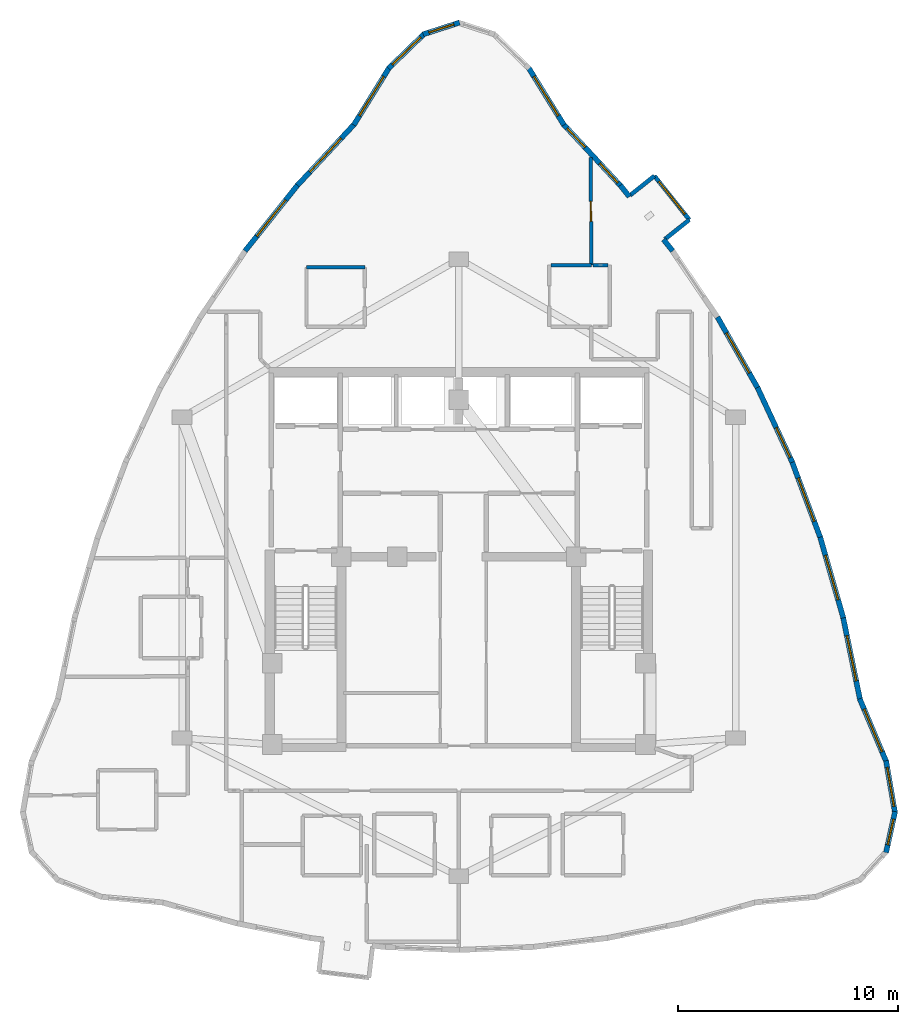
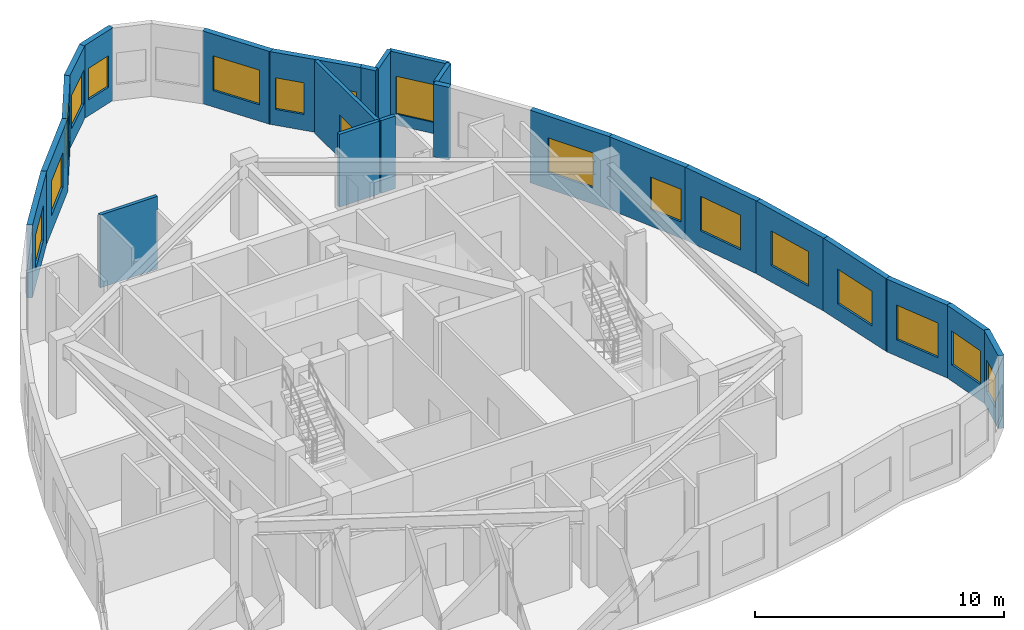
# One storey, part 11 of 13: 24 walls, 17 windows, 1 door, 18 openings.
"""IFC4 building model written with IfcOpenShell, lengths in metres."""

from ifc_helpers import new_model, si_unit, direction, frame, frame_2d, origin, place, context, subcontext, project, spatial, rectangle, extrude, material, layer, layer_set, type_object, element, fill, save


model = new_model("IFC4")

# Units and contexts
model_context = context("Model", 3, precision=1e-05, world=origin(), true_north=direction((0.0, 1.0)))
body_context = subcontext(model_context, "Body", "Model", "MODEL_VIEW")
ifc_project = project(units=[si_unit("LENGTHUNIT", "METRE"), si_unit("AREAUNIT", "SQUARE_METRE"), si_unit("VOLUMEUNIT", "CUBIC_METRE"), si_unit("PLANEANGLEUNIT", "RADIAN"), si_unit("MASSUNIT", "GRAM", prefix="KILO")], contexts=[model_context])

# Site, building, storey
site_placement = place(None, origin())
site = spatial("IfcSite", under=ifc_project, at=site_placement, CompositionType="ELEMENT")
building_placement = place(site_placement, origin())
building = spatial("IfcBuilding", under=site, at=building_placement, Name="Miruveldt Soraemaru", CompositionType="ELEMENT")
storey_placement = place(building_placement, frame((0.0, 0.0, 252.0)))
storey = spatial("IfcBuildingStorey", under=building, at=storey_placement, Name="L69", CompositionType="ELEMENT", Elevation=252.0)

# Walls
ifc_material_1 = material(Name="White powder-coated aluminium EN AW-6060 T6", Category="aluminium")
ifc_layer_1 = layer(ifc_material_1, 0.18994140625, Name="White powder-coated aluminium EN AW-6060 T6", Category="aluminium")
ifc_layer_set_1 = layer_set([ifc_layer_1], Name="White powder-coated aluminium EN AW-6060 T6")
wall_type_1 = type_object("IfcWallType", Name="WALL-BAY-ALU190", PredefinedType="SOLIDWALL", material=ifc_layer_set_1)
for number, where, z_axis, x_axis, name in (
    (1, (53.3828125, 58.5087890625, 0.0), (0.0, 0.0, 1.0), (0.781820714191, 0.623503304611, 0.0), "L69 Bay Window Side Cheek 2L"),
    (2, (52.904296875, 61.393798828125, 0.0), (0.0, 0.0, 1.0), (-0.781820714191, -0.623503304611, 0.0), "L69 Bay Window Side Cheek 2R"),
):
    element("IfcWall", number, at=place(storey_placement, frame(where, z_axis=z_axis, x_axis=x_axis)), inside=storey, type_object=wall_type_1, Name=name, PredefinedType="SOLIDWALL", context=body_context, shape_type="SweptSolid", body=[
        extrude(rectangle(XDim=1.4248046875, YDim=0.18994140625, at=frame_2d((0.71240234375, 0.0))), origin(), (0.0, 0.0, 1.0), 3.56494140625),
    ])

# Wall, opening, window
wall_1_placement = place(storey_placement, frame((54.496826171875, 59.397216796875, 0.0), z_axis=(0.0, 0.0, 1.0), x_axis=(-0.623563578344, 0.781772641989, 0.0)))
wall_1 = element("IfcWall", 3, at=wall_1_placement, inside=storey, type_object=wall_type_1, Name="L69 Bay Window Front Frame 2", PredefinedType="SOLIDWALL", context=body_context, shape_type="SweptSolid", body=[
    extrude(rectangle(XDim=2.553955078125, YDim=0.18994140625, at=frame_2d((1.27685546875, 0.0))), origin(), (0.0, 0.0, 1.0), 3.56494140625),
])
opening_1_placement = place(wall_1_placement, frame((0.326904296875, 0.0, 0.550048828125)))
opening_1 = element("IfcOpeningElement", 4, at=opening_1_placement, cuts=wall_1, Name="Opening WN-6", PredefinedType="OPENING", context=body_context, shape_type="SweptSolid", body=[
    extrude(rectangle(XDim=1.89990234375, YDim=1.85009765625, at=frame_2d((0.949951171875, 0.925048828125))), frame((0.0, 0.10498046875, 0.0), z_axis=(0.0, -1.0, 0.0), x_axis=(1.0, 0.0, 0.0)), (0.0, 0.0, 1.0), 0.2099609375),
])
ifc_material_2 = material(Name="Triple low-e insulated glazing", Category="glass")
window_type_1 = type_object("IfcWindowType", Name="WIN-BAYW-1900x1850", PartitioningType="SINGLE_PANEL", PredefinedType="WINDOW", material=ifc_material_2)
window_1_placement = place(opening_1_placement, origin())
window_1 = element("IfcWindow", 5, at=window_1_placement, inside=storey, type_object=window_type_1, Name="L69 Projecting Bay Window 2", OverallHeight=1.85009765625, OverallWidth=1.89990234375, PartitioningType="SINGLE_PANEL", PredefinedType="WINDOW", context=body_context, shape_type="SweptSolid", body=[
    extrude(rectangle(XDim=1.89990234375, YDim=1.85009765625, at=frame_2d((0.949951171875, 0.925048828125))), frame((0.0, 0.030029296875, 0.0), z_axis=(0.0, -1.0, 0.0), x_axis=(1.0, 0.0, 0.0)), (0.0, 0.0, 1.0), 0.06005859375),
])
fill(opening_1, window_1)

ifc_material_3 = material(Name="Precast concrete C45/55 (45 MPa)", Category="concrete")
ifc_layer_2 = layer(ifc_material_3, 0.239990234375, Name="Precast concrete C45/55 (45 MPa)", Category="concrete")
ifc_layer_set_2 = layer_set([ifc_layer_2], Name="Precast concrete C45/55 (45 MPa)")
wall_type_2 = type_object("IfcWallType", Name="WALL-EXT-PC240", PredefinedType="SOLIDWALL", material=ifc_layer_set_2)
wall_2_placement = place(storey_placement, frame((48.786865234375, 63.7119140625, 0.0), z_axis=(0.0, 0.0, 1.0), x_axis=(-0.52607453674, 0.850438464437, 0.0)))
wall_2 = element("IfcWall", 6, at=wall_2_placement, inside=storey, type_object=wall_type_2, Name="L69 Precast Concrete Facade Wall 1", PredefinedType="SOLIDWALL", context=body_context, shape_type="SweptSolid", body=[
    extrude(rectangle(XDim=3.09130859375, YDim=0.239990234375, at=frame_2d((1.545654296875, 0.0))), origin(), (0.0, 0.0, 1.0), 3.56494140625),
])
opening_2_placement = place(wall_2_placement, frame((0.49609375, 0.0, 0.800048828125)))
opening_2 = element("IfcOpeningElement", 7, at=opening_2_placement, cuts=wall_2, Name="Opening WN-1", PredefinedType="OPENING", context=body_context, shape_type="SweptSolid", body=[
    extrude(rectangle(XDim=2.10009765625, YDim=1.699951171875, at=frame_2d((1.050048828125, 0.85009765625))), frame((0.0, 0.1298828125, 0.0), z_axis=(0.0, -1.0, 0.0), x_axis=(1.0, 0.0, 0.0)), (0.0, 0.0, 1.0), 0.260009765625),
])
window_type_2 = type_object("IfcWindowType", Name="WIN-PUNCH-2100x1700", PartitioningType="SINGLE_PANEL", PredefinedType="WINDOW", material=ifc_material_2)
window_2_placement = place(opening_2_placement, origin())
window_2 = element("IfcWindow", 8, at=window_2_placement, inside=storey, type_object=window_type_2, Name="L69 Punched Triple-Glazed Window 01.1", OverallHeight=1.699951171875, OverallWidth=2.10009765625, PartitioningType="SINGLE_PANEL", PredefinedType="WINDOW", context=body_context, shape_type="SweptSolid", body=[
    extrude(rectangle(XDim=2.10009765625, YDim=1.699951171875, at=frame_2d((1.050048828125, 0.85009765625))), frame((0.0, 0.030029296875, 0.0), z_axis=(0.0, -1.0, 0.0), x_axis=(1.0, 0.0, 0.0)), (0.0, 0.0, 1.0), 0.06005859375),
])
fill(opening_2, window_2)

wall_3_placement = place(storey_placement, frame((44.033203125, 68.377685546875, 0.0), z_axis=(0.0, 0.0, 1.0), x_axis=(-0.951465057443, -0.307756794343, 0.0)))
wall_3 = element("IfcWall", 9, at=wall_3_placement, inside=storey, type_object=wall_type_2, Name="L69 Precast Concrete Facade Wall 4", PredefinedType="SOLIDWALL", context=body_context, shape_type="SweptSolid", body=[
    extrude(rectangle(XDim=1.740478515625, YDim=0.239990234375, at=frame_2d((0.8701171875, 0.0))), origin(), (0.0, 0.0, 1.0), 3.56494140625),
])
opening_3_placement = place(wall_3_placement, frame((0.27001953125, 0.0, 0.780029296875)))
opening_3 = element("IfcOpeningElement", 10, at=opening_3_placement, cuts=wall_3, Name="Opening WN-4", PredefinedType="OPENING", context=body_context, shape_type="SweptSolid", body=[
    extrude(rectangle(XDim=1.199951171875, YDim=1.550048828125, at=frame_2d((0.60009765625, 0.77490234375))), frame((0.0, 0.1298828125, 0.0), z_axis=(0.0, -1.0, 0.0), x_axis=(1.0, 0.0, 0.0)), (0.0, 0.0, 1.0), 0.260009765625),
])
window_type_3 = type_object("IfcWindowType", Name="WIN-PUNCH-1200x1550", PartitioningType="SINGLE_PANEL", PredefinedType="WINDOW", material=ifc_material_2)
window_3_placement = place(opening_3_placement, origin())
window_3 = element("IfcWindow", 11, at=window_3_placement, inside=storey, type_object=window_type_3, Name="L69 Punched Triple-Glazed Window 04.1", OverallHeight=1.550048828125, OverallWidth=1.199951171875, PartitioningType="SINGLE_PANEL", PredefinedType="WINDOW", context=body_context, shape_type="SweptSolid", body=[
    extrude(rectangle(XDim=1.199951171875, YDim=1.550048828125, at=frame_2d((0.60009765625, 0.77490234375))), frame((0.0, 0.030029296875, 0.0), z_axis=(0.0, -1.0, 0.0), x_axis=(1.0, 0.0, 0.0)), (0.0, 0.0, 1.0), 0.06005859375),
])
fill(opening_3, window_3)

wall_4_placement = place(storey_placement, frame((42.435546875, 67.877197265625, 0.0), z_axis=(0.0, 0.0, 1.0), x_axis=(-0.717766041492, -0.696284359785, 0.0)))
wall_4 = element("IfcWall", 12, at=wall_4_placement, inside=storey, type_object=wall_type_2, Name="L69 Precast Concrete Facade Wall 5", PredefinedType="SOLIDWALL", context=body_context, shape_type="SweptSolid", body=[
    extrude(rectangle(XDim=2.284423828125, YDim=0.239990234375, at=frame_2d((1.14208984375, 0.0))), origin(), (0.0, 0.0, 1.0), 3.56494140625),
])
opening_4_placement = place(wall_4_placement, frame((0.241943359375, 0.0, 0.800048828125)))
opening_4 = element("IfcOpeningElement", 13, at=opening_4_placement, cuts=wall_4, Name="Opening WN-2", PredefinedType="OPENING", context=body_context, shape_type="SweptSolid", body=[
    extrude(rectangle(XDim=1.800048828125, YDim=1.64990234375, at=frame_2d((0.89990234375, 0.824951171875))), frame((0.0, 0.1298828125, 0.0), z_axis=(0.0, -1.0, 0.0), x_axis=(1.0, 0.0, 0.0)), (0.0, 0.0, 1.0), 0.260009765625),
])
window_type_4 = type_object("IfcWindowType", Name="WIN-PUNCH-1800x1650", PartitioningType="SINGLE_PANEL", PredefinedType="WINDOW", material=ifc_material_2)
window_4_placement = place(opening_4_placement, origin())
window_4 = element("IfcWindow", 14, at=window_4_placement, inside=storey, type_object=window_type_4, Name="L69 Punched Triple-Glazed Window 05.1", OverallHeight=1.64990234375, OverallWidth=1.800048828125, PartitioningType="SINGLE_PANEL", PredefinedType="WINDOW", context=body_context, shape_type="SweptSolid", body=[
    extrude(rectangle(XDim=1.800048828125, YDim=1.64990234375, at=frame_2d((0.89990234375, 0.824951171875))), frame((0.0, 0.030029296875, 0.0), z_axis=(0.0, -1.0, 0.0), x_axis=(1.0, 0.0, 0.0)), (0.0, 0.0, 1.0), 0.06005859375),
])
fill(opening_4, window_4)

wall_5_placement = place(storey_placement, frame((40.83935546875, 66.3408203125, 0.0), z_axis=(0.0, 0.0, 1.0), x_axis=(-0.52607453674, -0.850438464437, 0.0)))
wall_5 = element("IfcWall", 15, at=wall_5_placement, inside=storey, type_object=wall_type_2, Name="L69 Precast Concrete Facade Wall 6", PredefinedType="SOLIDWALL", context=body_context, shape_type="SweptSolid", body=[
    extrude(rectangle(XDim=3.09130859375, YDim=0.239990234375, at=frame_2d((1.545654296875, 0.0))), origin(), (0.0, 0.0, 1.0), 3.56494140625),
])
opening_5_placement = place(wall_5_placement, frame((0.49609375, 0.0, 0.800048828125)))
opening_5 = element("IfcOpeningElement", 16, at=opening_5_placement, cuts=wall_5, Name="Opening WN-1", PredefinedType="OPENING", context=body_context, shape_type="SweptSolid", body=[
    extrude(rectangle(XDim=2.10009765625, YDim=1.699951171875, at=frame_2d((1.050048828125, 0.85009765625))), frame((0.0, 0.1298828125, 0.0), z_axis=(0.0, -1.0, 0.0), x_axis=(1.0, 0.0, 0.0)), (0.0, 0.0, 1.0), 0.260009765625),
])
window_5_placement = place(opening_5_placement, origin())
window_5 = element("IfcWindow", 17, at=window_5_placement, inside=storey, type_object=window_type_2, Name="L69 Punched Triple-Glazed Window 06.1", OverallHeight=1.699951171875, OverallWidth=2.10009765625, PartitioningType="SINGLE_PANEL", PredefinedType="WINDOW", context=body_context, shape_type="SweptSolid", body=[
    extrude(rectangle(XDim=2.10009765625, YDim=1.699951171875, at=frame_2d((1.050048828125, 0.85009765625))), frame((0.0, 0.030029296875, 0.0), z_axis=(0.0, -1.0, 0.0), x_axis=(1.0, 0.0, 0.0)), (0.0, 0.0, 1.0), 0.06005859375),
])
fill(opening_5, window_5)

wall_6_placement = place(storey_placement, frame((39.25537109375, 63.76708984375, 0.0), z_axis=(0.0, 0.0, 1.0), x_axis=(-0.68090304279, -0.732373570194, 0.0)))
wall_6 = element("IfcWall", 18, at=wall_6_placement, inside=storey, type_object=wall_type_2, Name="L69 Precast Concrete Facade Wall 7", PredefinedType="SOLIDWALL", context=body_context, shape_type="SweptSolid", body=[
    extrude(rectangle(XDim=3.894287109375, YDim=0.239990234375, at=frame_2d((1.947265625, 0.0))), origin(), (0.0, 0.0, 1.0), 3.56494140625),
])
opening_6_placement = place(wall_6_placement, frame((0.89697265625, 0.0, 0.800048828125)))
opening_6 = element("IfcOpeningElement", 19, at=opening_6_placement, cuts=wall_6, Name="Opening WN-1", PredefinedType="OPENING", context=body_context, shape_type="SweptSolid", body=[
    extrude(rectangle(XDim=2.10009765625, YDim=1.699951171875, at=frame_2d((1.050048828125, 0.85009765625))), frame((0.0, 0.1298828125, 0.0), z_axis=(0.0, -1.0, 0.0), x_axis=(1.0, 0.0, 0.0)), (0.0, 0.0, 1.0), 0.260009765625),
])
window_6_placement = place(opening_6_placement, origin())
window_6 = element("IfcWindow", 20, at=window_6_placement, inside=storey, type_object=window_type_2, Name="L69 Punched Triple-Glazed Window 07.1", OverallHeight=1.699951171875, OverallWidth=2.10009765625, PartitioningType="SINGLE_PANEL", PredefinedType="WINDOW", context=body_context, shape_type="SweptSolid", body=[
    extrude(rectangle(XDim=2.10009765625, YDim=1.699951171875, at=frame_2d((1.050048828125, 0.85009765625))), frame((0.0, 0.030029296875, 0.0), z_axis=(0.0, -1.0, 0.0), x_axis=(1.0, 0.0, 0.0)), (0.0, 0.0, 1.0), 0.06005859375),
])
fill(opening_6, window_6)

wall_7_placement = place(storey_placement, frame((36.6494140625, 60.968017578125, 0.0), z_axis=(0.0, 0.0, 1.0), x_axis=(-0.623604906823, -0.781739675459, 0.0)))
wall_7 = element("IfcWall", 21, at=wall_7_placement, inside=storey, type_object=wall_type_2, Name="L69 Precast Concrete Facade Wall 8", PredefinedType="SOLIDWALL", context=body_context, shape_type="SweptSolid", body=[
    extrude(rectangle(XDim=3.82568359375, YDim=0.239990234375, at=frame_2d((1.912841796875, 0.0))), origin(), (0.0, 0.0, 1.0), 3.56494140625),
])
opening_7_placement = place(wall_7_placement, frame((0.863037109375, 0.0, 0.800048828125)))
opening_7 = element("IfcOpeningElement", 22, at=opening_7_placement, cuts=wall_7, Name="Opening WN-1", PredefinedType="OPENING", context=body_context, shape_type="SweptSolid", body=[
    extrude(rectangle(XDim=2.10009765625, YDim=1.699951171875, at=frame_2d((1.050048828125, 0.85009765625))), frame((0.0, 0.1298828125, 0.0), z_axis=(0.0, -1.0, 0.0), x_axis=(1.0, 0.0, 0.0)), (0.0, 0.0, 1.0), 0.260009765625),
])
window_7_placement = place(opening_7_placement, origin())
window_7 = element("IfcWindow", 23, at=window_7_placement, inside=storey, type_object=window_type_2, Name="L69 Punched Triple-Glazed Window 08.1", OverallHeight=1.699951171875, OverallWidth=2.10009765625, PartitioningType="SINGLE_PANEL", PredefinedType="WINDOW", context=body_context, shape_type="SweptSolid", body=[
    extrude(rectangle(XDim=2.10009765625, YDim=1.699951171875, at=frame_2d((1.050048828125, 0.85009765625))), frame((0.0, 0.030029296875, 0.0), z_axis=(0.0, -1.0, 0.0), x_axis=(1.0, 0.0, 0.0)), (0.0, 0.0, 1.0), 0.06005859375),
])
fill(opening_7, window_7)

wall_8_placement = place(storey_placement, frame((63.452392578125, 30.58251953125, 0.0), z_axis=(0.0, 0.0, 1.0), x_axis=(0.215794628874, 0.976438773374, 0.0)))
wall_8 = element("IfcWall", 24, at=wall_8_placement, inside=storey, type_object=wall_type_2, Name="L69 Precast Concrete Facade Wall 32", PredefinedType="SOLIDWALL", context=body_context, shape_type="SweptSolid", body=[
    extrude(rectangle(XDim=1.912109375, YDim=0.239990234375, at=frame_2d((0.9560546875, 0.0))), origin(), (0.0, 0.0, 1.0), 3.56494140625),
])
opening_8_placement = place(wall_8_placement, frame((0.35595703125, 0.0, 0.780029296875)))
opening_8 = element("IfcOpeningElement", 25, at=opening_8_placement, cuts=wall_8, Name="Opening WN-4", PredefinedType="OPENING", context=body_context, shape_type="SweptSolid", body=[
    extrude(rectangle(XDim=1.199951171875, YDim=1.550048828125, at=frame_2d((0.60009765625, 0.77490234375))), frame((0.0, 0.1298828125, 0.0), z_axis=(0.0, -1.0, 0.0), x_axis=(1.0, 0.0, 0.0)), (0.0, 0.0, 1.0), 0.260009765625),
])
window_8_placement = place(opening_8_placement, origin())
window_8 = element("IfcWindow", 26, at=window_8_placement, inside=storey, type_object=window_type_3, Name="L69 Punched Triple-Glazed Window 32.1", OverallHeight=1.550048828125, OverallWidth=1.199951171875, PartitioningType="SINGLE_PANEL", PredefinedType="WINDOW", context=body_context, shape_type="SweptSolid", body=[
    extrude(rectangle(XDim=1.199951171875, YDim=1.550048828125, at=frame_2d((0.60009765625, 0.77490234375))), frame((0.0, 0.030029296875, 0.0), z_axis=(0.0, -1.0, 0.0), x_axis=(1.0, 0.0, 0.0)), (0.0, 0.0, 1.0), 0.06005859375),
])
fill(opening_8, window_8)

wall_9_placement = place(storey_placement, frame((63.86328125, 32.380859375, 0.0), z_axis=(0.0, 0.0, 1.0), x_axis=(-0.169328349246, 0.98555969385, 0.0)))
wall_9 = element("IfcWall", 27, at=wall_9_placement, inside=storey, type_object=wall_type_2, Name="L69 Precast Concrete Facade Wall 33", PredefinedType="SOLIDWALL", context=body_context, shape_type="SweptSolid", body=[
    extrude(rectangle(XDim=2.41650390625, YDim=0.239990234375, at=frame_2d((1.208251953125, 0.0))), origin(), (0.0, 0.0, 1.0), 3.56494140625),
])
opening_9_placement = place(wall_9_placement, frame((0.30810546875, 0.0, 0.800048828125)))
opening_9 = element("IfcOpeningElement", 28, at=opening_9_placement, cuts=wall_9, Name="Opening WN-2", PredefinedType="OPENING", context=body_context, shape_type="SweptSolid", body=[
    extrude(rectangle(XDim=1.800048828125, YDim=1.64990234375, at=frame_2d((0.89990234375, 0.824951171875))), frame((0.0, 0.1298828125, 0.0), z_axis=(0.0, -1.0, 0.0), x_axis=(1.0, 0.0, 0.0)), (0.0, 0.0, 1.0), 0.260009765625),
])
window_9_placement = place(opening_9_placement, origin())
window_9 = element("IfcWindow", 29, at=window_9_placement, inside=storey, type_object=window_type_4, Name="L69 Punched Triple-Glazed Window 33.1", OverallHeight=1.64990234375, OverallWidth=1.800048828125, PartitioningType="SINGLE_PANEL", PredefinedType="WINDOW", context=body_context, shape_type="SweptSolid", body=[
    extrude(rectangle(XDim=1.800048828125, YDim=1.64990234375, at=frame_2d((0.89990234375, 0.824951171875))), frame((0.0, 0.030029296875, 0.0), z_axis=(0.0, -1.0, 0.0), x_axis=(1.0, 0.0, 0.0)), (0.0, 0.0, 1.0), 0.06005859375),
])
fill(opening_9, window_9)

wall_10_placement = place(storey_placement, frame((63.473388671875, 34.69580078125, 0.0), z_axis=(0.0, 0.0, 1.0), x_axis=(-0.388606577421, 0.921403781187, 0.0)))
wall_10 = element("IfcWall", 30, at=wall_10_placement, inside=storey, type_object=wall_type_2, Name="L69 Precast Concrete Facade Wall 34", PredefinedType="SOLIDWALL", context=body_context, shape_type="SweptSolid", body=[
    extrude(rectangle(XDim=3.137451171875, YDim=0.239990234375, at=frame_2d((1.56884765625, 0.0))), origin(), (0.0, 0.0, 1.0), 3.56494140625),
])
opening_10_placement = place(wall_10_placement, frame((0.51904296875, 0.0, 0.800048828125)))
opening_10 = element("IfcOpeningElement", 31, at=opening_10_placement, cuts=wall_10, Name="Opening WN-1", PredefinedType="OPENING", context=body_context, shape_type="SweptSolid", body=[
    extrude(rectangle(XDim=2.10009765625, YDim=1.699951171875, at=frame_2d((1.050048828125, 0.85009765625))), frame((0.0, 0.1298828125, 0.0), z_axis=(0.0, -1.0, 0.0), x_axis=(1.0, 0.0, 0.0)), (0.0, 0.0, 1.0), 0.260009765625),
])
window_10_placement = place(opening_10_placement, origin())
window_10 = element("IfcWindow", 32, at=window_10_placement, inside=storey, type_object=window_type_2, Name="L69 Punched Triple-Glazed Window 34.1", OverallHeight=1.699951171875, OverallWidth=2.10009765625, PartitioningType="SINGLE_PANEL", PredefinedType="WINDOW", context=body_context, shape_type="SweptSolid", body=[
    extrude(rectangle(XDim=2.10009765625, YDim=1.699951171875, at=frame_2d((1.050048828125, 0.85009765625))), frame((0.0, 0.030029296875, 0.0), z_axis=(0.0, -1.0, 0.0), x_axis=(1.0, 0.0, 0.0)), (0.0, 0.0, 1.0), 0.06005859375),
])
fill(opening_10, window_10)

wall_11_placement = place(storey_placement, frame((62.27490234375, 37.52001953125, 0.0), z_axis=(0.0, 0.0, 1.0), x_axis=(-0.201598089636, 0.979468330399, 0.0)))
wall_11 = element("IfcWall", 33, at=wall_11_placement, inside=storey, type_object=wall_type_2, Name="L69 Precast Concrete Facade Wall 35", PredefinedType="SOLIDWALL", context=body_context, shape_type="SweptSolid", body=[
    extrude(rectangle(XDim=3.894775390625, YDim=0.239990234375, at=frame_2d((1.947265625, 0.0))), origin(), (0.0, 0.0, 1.0), 3.56494140625),
])
opening_11_placement = place(wall_11_placement, frame((0.89697265625, 0.0, 0.800048828125)))
opening_11 = element("IfcOpeningElement", 34, at=opening_11_placement, cuts=wall_11, Name="Opening WN-1", PredefinedType="OPENING", context=body_context, shape_type="SweptSolid", body=[
    extrude(rectangle(XDim=2.10009765625, YDim=1.699951171875, at=frame_2d((1.050048828125, 0.85009765625))), frame((0.0, 0.1298828125, 0.0), z_axis=(0.0, -1.0, 0.0), x_axis=(1.0, 0.0, 0.0)), (0.0, 0.0, 1.0), 0.260009765625),
])
window_11_placement = place(opening_11_placement, origin())
window_11 = element("IfcWindow", 35, at=window_11_placement, inside=storey, type_object=window_type_2, Name="L69 Punched Triple-Glazed Window 35.1", OverallHeight=1.699951171875, OverallWidth=2.10009765625, PartitioningType="SINGLE_PANEL", PredefinedType="WINDOW", context=body_context, shape_type="SweptSolid", body=[
    extrude(rectangle(XDim=2.10009765625, YDim=1.699951171875, at=frame_2d((1.050048828125, 0.85009765625))), frame((0.0, 0.030029296875, 0.0), z_axis=(0.0, -1.0, 0.0), x_axis=(1.0, 0.0, 0.0)), (0.0, 0.0, 1.0), 0.06005859375),
])
fill(opening_11, window_11)

wall_12_placement = place(storey_placement, frame((61.506591796875, 41.2666015625, 0.0), z_axis=(0.0, 0.0, 1.0), x_axis=(-0.274982401426, 0.961449259663, 0.0)))
wall_12 = element("IfcWall", 36, at=wall_12_placement, inside=storey, type_object=wall_type_2, Name="L69 Precast Concrete Facade Wall 36", PredefinedType="SOLIDWALL", context=body_context, shape_type="SweptSolid", body=[
    extrude(rectangle(XDim=3.82568359375, YDim=0.239990234375, at=frame_2d((1.912841796875, 0.0))), origin(), (0.0, 0.0, 1.0), 3.56494140625),
])
opening_12_placement = place(wall_12_placement, frame((0.863037109375, 0.0, 0.800048828125)))
opening_12 = element("IfcOpeningElement", 37, at=opening_12_placement, cuts=wall_12, Name="Opening WN-1", PredefinedType="OPENING", context=body_context, shape_type="SweptSolid", body=[
    extrude(rectangle(XDim=2.10009765625, YDim=1.699951171875, at=frame_2d((1.050048828125, 0.85009765625))), frame((0.0, 0.1298828125, 0.0), z_axis=(0.0, -1.0, 0.0), x_axis=(1.0, 0.0, 0.0)), (0.0, 0.0, 1.0), 0.260009765625),
])
window_12_placement = place(opening_12_placement, origin())
window_12 = element("IfcWindow", 38, at=window_12_placement, inside=storey, type_object=window_type_2, Name="L69 Punched Triple-Glazed Window 36.1", OverallHeight=1.699951171875, OverallWidth=2.10009765625, PartitioningType="SINGLE_PANEL", PredefinedType="WINDOW", context=body_context, shape_type="SweptSolid", body=[
    extrude(rectangle(XDim=2.10009765625, YDim=1.699951171875, at=frame_2d((1.050048828125, 0.85009765625))), frame((0.0, 0.030029296875, 0.0), z_axis=(0.0, -1.0, 0.0), x_axis=(1.0, 0.0, 0.0)), (0.0, 0.0, 1.0), 0.06005859375),
])
fill(opening_12, window_12)

wall_13_placement = place(storey_placement, frame((60.476318359375, 44.87841796875, 0.0), z_axis=(0.0, 0.0, 1.0), x_axis=(-0.348984438281, 0.937128519381, 0.0)))
wall_13 = element("IfcWall", 39, at=wall_13_placement, inside=storey, type_object=wall_type_2, Name="L69 Precast Concrete Facade Wall 37", PredefinedType="SOLIDWALL", context=body_context, shape_type="SweptSolid", body=[
    extrude(rectangle(XDim=3.779052734375, YDim=0.239990234375, at=frame_2d((1.8896484375, 0.0))), origin(), (0.0, 0.0, 1.0), 3.56494140625),
])
opening_13_placement = place(wall_13_placement, frame((0.840087890625, 0.0, 0.800048828125)))
opening_13 = element("IfcOpeningElement", 40, at=opening_13_placement, cuts=wall_13, Name="Opening WN-1", PredefinedType="OPENING", context=body_context, shape_type="SweptSolid", body=[
    extrude(rectangle(XDim=2.10009765625, YDim=1.699951171875, at=frame_2d((1.050048828125, 0.85009765625))), frame((0.0, 0.1298828125, 0.0), z_axis=(0.0, -1.0, 0.0), x_axis=(1.0, 0.0, 0.0)), (0.0, 0.0, 1.0), 0.260009765625),
])
window_13_placement = place(opening_13_placement, origin())
window_13 = element("IfcWindow", 41, at=window_13_placement, inside=storey, type_object=window_type_2, Name="L69 Punched Triple-Glazed Window 37.1", OverallHeight=1.699951171875, OverallWidth=2.10009765625, PartitioningType="SINGLE_PANEL", PredefinedType="WINDOW", context=body_context, shape_type="SweptSolid", body=[
    extrude(rectangle(XDim=2.10009765625, YDim=1.699951171875, at=frame_2d((1.050048828125, 0.85009765625))), frame((0.0, 0.030029296875, 0.0), z_axis=(0.0, -1.0, 0.0), x_axis=(1.0, 0.0, 0.0)), (0.0, 0.0, 1.0), 0.06005859375),
])
fill(opening_13, window_13)

wall_14_placement = place(storey_placement, frame((59.184326171875, 48.355224609375, 0.0), z_axis=(0.0, 0.0, 1.0), x_axis=(-0.422287495825, 0.906461952246, 0.0)))
wall_14 = element("IfcWall", 42, at=wall_14_placement, inside=storey, type_object=wall_type_2, Name="L69 Precast Concrete Facade Wall 38", PredefinedType="SOLIDWALL", context=body_context, shape_type="SweptSolid", body=[
    extrude(rectangle(XDim=3.755615234375, YDim=0.239990234375, at=frame_2d((1.8779296875, 0.0))), origin(), (0.0, 0.0, 1.0), 3.56494140625),
])
opening_14_placement = place(wall_14_placement, frame((0.237060546875, 0.0, 0.800048828125)))
opening_14 = element("IfcOpeningElement", 43, at=opening_14_placement, cuts=wall_14, Name="Opening WN-3", PredefinedType="OPENING", context=body_context, shape_type="SweptSolid", body=[
    extrude(rectangle(XDim=1.5, YDim=1.60009765625, at=frame_2d((0.75, 0.800048828125))), frame((0.0, 0.1298828125, 0.0), z_axis=(0.0, -1.0, 0.0), x_axis=(1.0, 0.0, 0.0)), (0.0, 0.0, 1.0), 0.260009765625),
])
window_type_5 = type_object("IfcWindowType", Name="WIN-PUNCH-1500x1600", PartitioningType="SINGLE_PANEL", PredefinedType="WINDOW", material=ifc_material_2)
window_14_placement = place(opening_14_placement, origin())
window_14 = element("IfcWindow", 44, at=window_14_placement, inside=storey, type_object=window_type_5, Name="L69 Punched Triple-Glazed Window 38.1", OverallHeight=1.60009765625, OverallWidth=1.5, PartitioningType="SINGLE_PANEL", PredefinedType="WINDOW", context=body_context, shape_type="SweptSolid", body=[
    extrude(rectangle(XDim=1.5, YDim=1.60009765625, at=frame_2d((0.75, 0.800048828125))), frame((0.0, 0.030029296875, 0.0), z_axis=(0.0, -1.0, 0.0), x_axis=(1.0, 0.0, 0.0)), (0.0, 0.0, 1.0), 0.06005859375),
])
fill(opening_14, window_14)

wall_15_placement = place(storey_placement, frame((57.63037109375, 51.697509765625, 0.0), z_axis=(0.0, 0.0, 1.0), x_axis=(-0.493356990669, 0.869826925174, 0.0)))
wall_15 = element("IfcWall", 45, at=wall_15_placement, inside=storey, type_object=wall_type_2, Name="L69 Precast Concrete Facade Wall 39", PredefinedType="SOLIDWALL", context=body_context, shape_type="SweptSolid", body=[
    extrude(rectangle(XDim=3.75537109375, YDim=0.239990234375, at=frame_2d((1.877685546875, 0.0))), origin(), (0.0, 0.0, 1.0), 3.56494140625),
])
opening_15_placement = place(wall_15_placement, frame((0.827880859375, 0.0, 0.800048828125)))
opening_15 = element("IfcOpeningElement", 46, at=opening_15_placement, cuts=wall_15, Name="Opening WN-1", PredefinedType="OPENING", context=body_context, shape_type="SweptSolid", body=[
    extrude(rectangle(XDim=2.10009765625, YDim=1.699951171875, at=frame_2d((1.050048828125, 0.85009765625))), frame((0.0, 0.1298828125, 0.0), z_axis=(0.0, -1.0, 0.0), x_axis=(1.0, 0.0, 0.0)), (0.0, 0.0, 1.0), 0.260009765625),
])
window_15_placement = place(opening_15_placement, origin())
window_15 = element("IfcWindow", 47, at=window_15_placement, inside=storey, type_object=window_type_2, Name="L69 Punched Triple-Glazed Window 39.1", OverallHeight=1.699951171875, OverallWidth=2.10009765625, PartitioningType="SINGLE_PANEL", PredefinedType="WINDOW", context=body_context, shape_type="SweptSolid", body=[
    extrude(rectangle(XDim=2.10009765625, YDim=1.699951171875, at=frame_2d((1.050048828125, 0.85009765625))), frame((0.0, 0.030029296875, 0.0), z_axis=(0.0, -1.0, 0.0), x_axis=(1.0, 0.0, 0.0)), (0.0, 0.0, 1.0), 0.06005859375),
])
fill(opening_15, window_15)

# Walls
for number, where, z_axis, x_axis, name in (
    (48, (53.736328125, 57.977294921875, 0.0), (0.0, 0.0, 1.0), (-0.623441993502, 0.781869605969, 0.0), "L69 Precast Pier Wall 41A"),
    (49, (51.765869140625, 60.447509765625, 0.0), (0.0, 0.0, 1.0), (-0.623666106401, 0.781690851761, 0.0), "L69 Precast Pier Wall 41B"),
):
    element("IfcWall", number, at=place(storey_placement, frame(where, z_axis=z_axis, x_axis=x_axis)), inside=storey, type_object=wall_type_2, Name=name, PredefinedType="SOLIDWALL", context=body_context, shape_type="SweptSolid", body=[
        extrude(rectangle(XDim=0.665771484375, YDim=0.239990234375, at=frame_2d((0.3330078125, 0.0))), origin(), (0.0, 0.0, 1.0), 3.56494140625),
    ])

# Wall, openings, windows
wall_16_placement = place(storey_placement, frame((51.396240234375, 60.9150390625, 0.0), z_axis=(0.0, 0.0, 1.0), x_axis=(-0.68090304279, 0.732373570194, 0.0)))
wall_16 = element("IfcWall", 50, at=wall_16_placement, inside=storey, type_object=wall_type_2, Name="L69 Precast Concrete Facade Wall 42", PredefinedType="SOLIDWALL", context=body_context, shape_type="SweptSolid", body=[
    extrude(rectangle(XDim=3.894287109375, YDim=0.239990234375, at=frame_2d((1.947265625, 0.0))), origin(), (0.0, 0.0, 1.0), 3.56494140625),
])
opening_16_placement = place(wall_16_placement, frame((0.237060546875, 0.0, 0.780029296875)))
opening_16 = element("IfcOpeningElement", 51, at=opening_16_placement, cuts=wall_16, Name="Opening WN-4", PredefinedType="OPENING", context=body_context, shape_type="SweptSolid", body=[
    extrude(rectangle(XDim=1.199951171875, YDim=1.550048828125, at=frame_2d((0.60009765625, 0.77490234375))), frame((0.0, 0.1298828125, 0.0), z_axis=(0.0, -1.0, 0.0), x_axis=(1.0, 0.0, 0.0)), (0.0, 0.0, 1.0), 0.260009765625),
])
opening_17_placement = place(wall_16_placement, frame((2.424072265625, 0.0, 0.780029296875)))
opening_17 = element("IfcOpeningElement", 52, at=opening_17_placement, cuts=wall_16, Name="Opening WN-4", PredefinedType="OPENING", context=body_context, shape_type="SweptSolid", body=[
    extrude(rectangle(XDim=1.199951171875, YDim=1.550048828125, at=frame_2d((0.60009765625, 0.77490234375))), frame((0.0, 0.1298828125, 0.0), z_axis=(0.0, -1.0, 0.0), x_axis=(1.0, 0.0, 0.0)), (0.0, 0.0, 1.0), 0.260009765625),
])
window_16_placement = place(opening_16_placement, origin())
window_16 = element("IfcWindow", 53, at=window_16_placement, inside=storey, type_object=window_type_3, Name="L69 Punched Triple-Glazed Window 42.1", OverallHeight=1.550048828125, OverallWidth=1.199951171875, PartitioningType="SINGLE_PANEL", PredefinedType="WINDOW", context=body_context, shape_type="SweptSolid", body=[
    extrude(rectangle(XDim=1.199951171875, YDim=1.550048828125, at=frame_2d((0.60009765625, 0.77490234375))), frame((0.0, 0.030029296875, 0.0), z_axis=(0.0, -1.0, 0.0), x_axis=(1.0, 0.0, 0.0)), (0.0, 0.0, 1.0), 0.06005859375),
])
fill(opening_16, window_16)
window_17_placement = place(opening_17_placement, origin())
window_17 = element("IfcWindow", 54, at=window_17_placement, inside=storey, type_object=window_type_3, Name="L69 Punched Triple-Glazed Window 42.2", OverallHeight=1.550048828125, OverallWidth=1.199951171875, PartitioningType="SINGLE_PANEL", PredefinedType="WINDOW", context=body_context, shape_type="SweptSolid", body=[
    extrude(rectangle(XDim=1.199951171875, YDim=1.550048828125, at=frame_2d((0.60009765625, 0.77490234375))), frame((0.0, 0.030029296875, 0.0), z_axis=(0.0, -1.0, 0.0), x_axis=(1.0, 0.0, 0.0)), (0.0, 0.0, 1.0), 0.06005859375),
])
fill(opening_17, window_17)

# Wall
ifc_material_4 = material(Name="Gypsum plasterboard lining", Category="gypsum")
ifc_layer_3 = layer(ifc_material_4, 0.14990234375, Name="Gypsum plasterboard lining", Category="gypsum")
ifc_layer_set_3 = layer_set([ifc_layer_3], Name="Gypsum plasterboard lining")
wall_type_3 = type_object("IfcWallType", Name="WALL-INT-PLUMB", PredefinedType="PLUMBINGWALL", material=ifc_layer_set_3)
wall_17_placement = place(storey_placement, frame((39.716064453125, 57.22998046875, 0.0), z_axis=(0.0, 0.0, 1.0), x_axis=(-1.0, 0.0, 0.0)))
element("IfcWall", 55, at=wall_17_placement, inside=storey, type_object=wall_type_3, Name="L69 Partition Wall 14", PredefinedType="PLUMBINGWALL", context=body_context, shape_type="SweptSolid", body=[
    extrude(rectangle(XDim=2.650146484375, YDim=0.14990234375, at=frame_2d((1.3251953125, 0.0))), origin(), (0.0, 0.0, 1.0), 3.56494140625),
])

# Wall, opening, door
ifc_material_5 = material(Name="Concrete C40/50 (40 MPa)", Category="concrete")
ifc_layer_4 = layer(ifc_material_5, 0.159912109375, Name="Concrete C40/50 (40 MPa)", Category="concrete")
ifc_layer_set_4 = layer_set([ifc_layer_4], Name="Concrete C40/50 (40 MPa)")
wall_type_4 = type_object("IfcWallType", Name="WALL-INT-RC160", PredefinedType="SOLIDWALL", material=ifc_layer_set_4)
wall_18_placement = place(storey_placement, frame((50.034912109375, 57.330078125, 0.0), z_axis=(0.0, 0.0, 1.0), x_axis=(-0.008131029215, 0.999966942636, 0.0)))
wall_18 = element("IfcWall", 56, at=wall_18_placement, inside=storey, type_object=wall_type_4, Name="L69 Partition Wall 21", PredefinedType="SOLIDWALL", context=body_context, shape_type="SweptSolid", body=[
    extrude(rectangle(XDim=4.894287109375, YDim=0.159912109375, at=frame_2d((2.447265625, 0.0))), origin(), (0.0, 0.0, 1.0), 3.56494140625),
])
opening_18_placement = place(wall_18_placement, frame((1.987060546875, 0.0, 0.0)))
opening_18 = element("IfcOpeningElement", 57, at=opening_18_placement, cuts=wall_18, Name="Opening D3A", PredefinedType="OPENING", context=body_context, shape_type="SweptSolid", body=[
    extrude(rectangle(XDim=0.919921875, YDim=2.10009765625, at=frame_2d((0.4599609375, 1.050048828125))), frame((0.0, 0.08984375, 0.0), z_axis=(0.0, -1.0, 0.0), x_axis=(1.0, 0.0, 0.0)), (0.0, 0.0, 1.0), 0.179931640625),
])
ifc_material_6 = material(Name="Anodised aluminium EN AW-6063 T6", Category="aluminium")
door_type = type_object("IfcDoorType", Name="DOOR-INT-920", OperationType="NOTDEFINED", PredefinedType="DOOR", material=ifc_material_6)
door_placement = place(opening_18_placement, origin())
door = element("IfcDoor", 58, at=door_placement, inside=storey, type_object=door_type, Name="L69 Unit 6901 BD1 Door", OperationType="SINGLE_SWING_RIGHT", OverallHeight=2.10009765625, OverallWidth=0.919921875, PredefinedType="DOOR", context=body_context, shape_type="SweptSolid", body=[
    extrude(rectangle(XDim=0.919921875, YDim=2.10009765625, at=frame_2d((0.4599609375, 1.050048828125))), frame((0.0, 0.02490234375, 0.0), z_axis=(0.0, -1.0, 0.0), x_axis=(1.0, 0.0, 0.0)), (0.0, 0.0, 1.0), 0.050048828125),
])
fill(opening_18, door)

# Walls
wall_19_placement = place(storey_placement, frame((50.044921875, 57.330078125, 0.0), z_axis=(0.0, 0.0, 1.0), x_axis=(-1.0, 0.0, 0.0)))
element("IfcWall", 59, at=wall_19_placement, inside=storey, type_object=wall_type_4, Name="L69 Partition Wall 17", PredefinedType="SOLIDWALL", context=body_context, shape_type="SweptSolid", body=[
    extrude(rectangle(XDim=1.848876953125, YDim=0.159912109375, at=frame_2d((0.92431640625, 0.0))), origin(), (0.0, 0.0, 1.0), 3.56494140625),
])
wall_20_placement = place(storey_placement, frame((50.785888671875, 57.330078125, 0.0), z_axis=(0.0, 0.0, 1.0), x_axis=(-1.0, 0.0, 0.0)))
element("IfcWall", 60, at=wall_20_placement, inside=storey, type_object=wall_type_4, Name="L69 Partition Wall 26", PredefinedType="SOLIDWALL", context=body_context, shape_type="SweptSolid", body=[
    extrude(rectangle(XDim=0.6708984375, YDim=0.159912109375, at=frame_2d((0.33544921875, 0.0))), origin(), (0.0, 0.0, 1.0), 3.56494140625),
])

save(model, "model.ifc")
